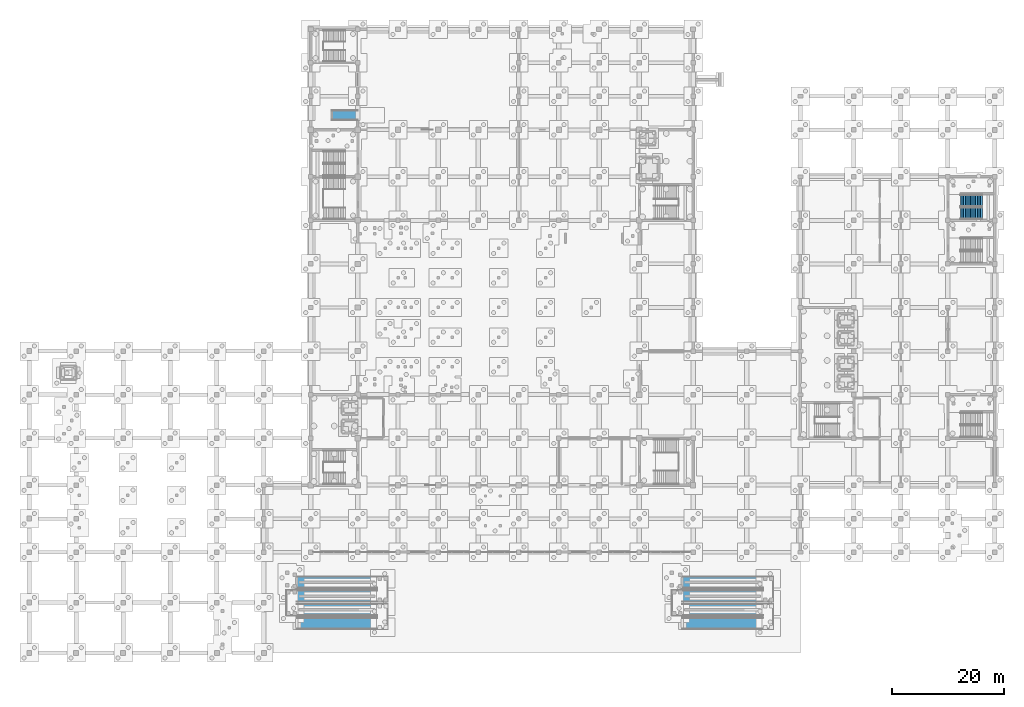
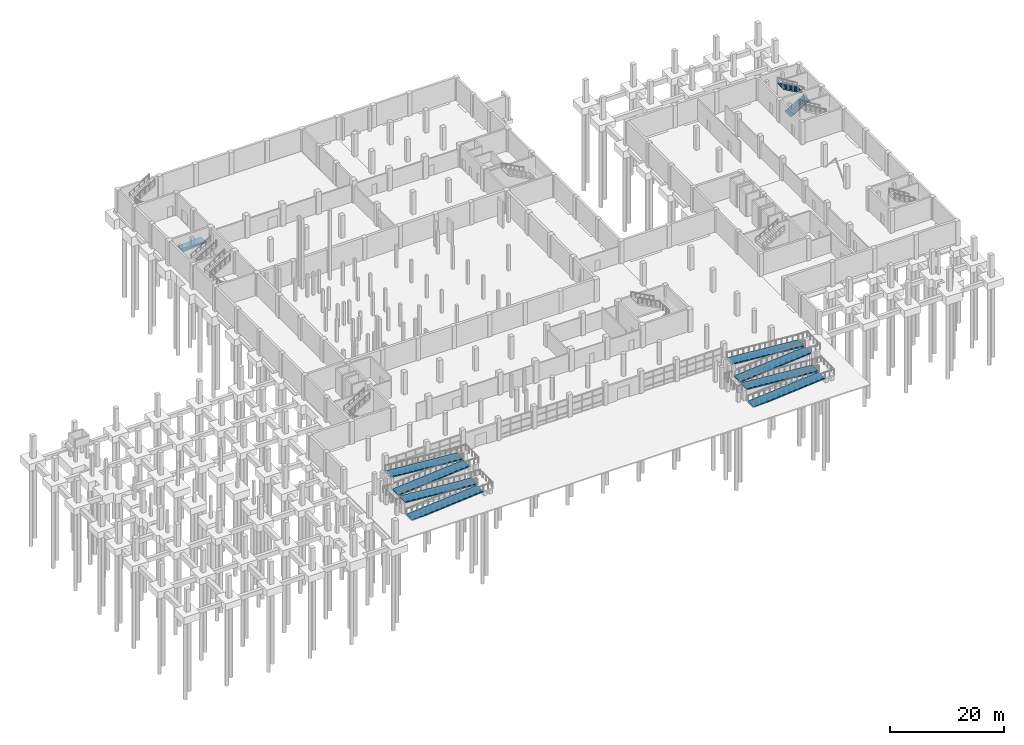
# One storey, part 37 of 42: 9 ramp flights, 2 stair flights, 4 elements without a shape of their own.
"""IFC4 building model written with IfcOpenShell, lengths in metres."""

from ifc_helpers import new_model, si_unit, direction, frame, origin, place, context, subcontext, project, spatial, polyline, outline, extrude, material, layer, layer_set, type_object, element, aggregate, save


model = new_model("IFC4")

# Units and contexts
model_context = context("Model", 3, precision=1e-05, world=origin(), true_north=direction((0.0, 1.0)))
body_context = subcontext(model_context, "Body", "Model", "MODEL_VIEW")
ifc_project = project(units=[si_unit("LENGTHUNIT", "METRE"), si_unit("AREAUNIT", "SQUARE_METRE"), si_unit("VOLUMEUNIT", "CUBIC_METRE"), si_unit("PLANEANGLEUNIT", "RADIAN"), si_unit("MASSUNIT", "GRAM", prefix="KILO")], contexts=[model_context])

# Site, building, storey
site_placement = place(None, origin())
site = spatial("IfcSite", under=ifc_project, at=site_placement, CompositionType="ELEMENT")
building_placement = place(site_placement, origin())
building = spatial("IfcBuilding", under=site, at=building_placement, Name="Pellamere Symphony Hall", CompositionType="ELEMENT")
storey_placement = place(building_placement, frame((0.0, 0.0, -4.800048828125)))
storey = spatial("IfcBuildingStorey", under=building, at=storey_placement, Name="B1", CompositionType="ELEMENT", Elevation=-4.800048828125)

# Stair, stair flights
ifc_material = material(Name="Concrete 40 MPa", Category="concrete")
stair_type = type_object("IfcStairType", Name="Stair ST-B W2050", PredefinedType="HALF_TURN_STAIR", material=ifc_material)
stair_placement = place(storey_placement, origin())
stair = element("IfcStair", 1, at=stair_placement, inside=storey, type_object=stair_type, Name="Exit Stair ST14-B1 (B1 to L00)", PredefinedType="HALF_TURN_STAIR")
stair_flight_type = type_object("IfcStairFlightType", Name="Stair Flight SF-B W2050", PredefinedType="STRAIGHT", material=ifc_material)
stair_flight_1_placement = place(storey_placement, frame((166.625, 78.5849609375, 0.0), z_axis=(0.0, 0.0, 1.0), x_axis=(1.0, 0.0, 0.0)))
stair_flight_1 = element("IfcStairFlight", 2, at=stair_flight_1_placement, type_object=stair_flight_type, Name="Stair ST14-B1 Lower Flight (B1)", NumberOfRisers=14, NumberOfTreads=13, PredefinedType="STRAIGHT", RiserHeight=0.17143, TreadLength=0.30385, context=body_context, shape_type="SweptSolid", body=[
    extrude(outline(polyline([(0.0, 0.0), (0.0, 0.17138671875), (0.303955078125, 0.17138671875), (0.303955078125, 0.3427734375), (0.607666015625, 0.3427734375), (0.607666015625, 0.514404296875), (0.91162109375, 0.514404296875), (0.91162109375, 0.685791015625), (1.21533203125, 0.685791015625), (1.21533203125, 0.857177734375), (1.519287109375, 0.857177734375), (1.519287109375, 1.028564453125), (1.822998046875, 1.028564453125), (1.822998046875, 1.199951171875), (2.126953125, 1.199951171875), (2.126953125, 1.371337890625), (2.430908203125, 1.371337890625), (2.430908203125, 1.54296875), (2.734619140625, 1.54296875), (2.734619140625, 1.71435546875), (3.03857421875, 1.71435546875), (3.03857421875, 1.8857421875), (3.34228515625, 1.8857421875), (3.34228515625, 2.05712890625), (3.646240234375, 2.05712890625), (3.646240234375, 2.228515625), (3.949951171875, 2.228515625), (3.949951171875, 2.39990234375), (3.949951171875, 1.9990234375), (0.406982421875, 0.0), (0.0, 0.0)])), frame((0.0, 1.02490234375, 0.0), z_axis=(0.0, -1.0, 0.0), x_axis=(1.0, 0.0, 0.0)), (0.0, 0.0, 1.0), 2.050048828125),
])
stair_flight_2_placement = place(storey_placement, frame((170.574951171875, 80.97509765625, 2.400146484375), z_axis=(0.0, 0.0, 1.0), x_axis=(-1.0, 0.0, 0.0)))
stair_flight_2 = element("IfcStairFlight", 3, at=stair_flight_2_placement, type_object=stair_flight_type, Name="Stair ST14-B1 Upper Flight (B1)", NumberOfRisers=14, NumberOfTreads=13, PredefinedType="STRAIGHT", RiserHeight=0.17143, TreadLength=0.30385, context=body_context, shape_type="SweptSolid", body=[
    extrude(outline(polyline([(0.0, 0.0), (0.0, 0.17138671875), (0.303955078125, 0.17138671875), (0.303955078125, 0.3427734375), (0.607666015625, 0.3427734375), (0.607666015625, 0.514404296875), (0.91162109375, 0.514404296875), (0.91162109375, 0.685791015625), (1.21533203125, 0.685791015625), (1.21533203125, 0.857177734375), (1.519287109375, 0.857177734375), (1.519287109375, 1.028564453125), (1.822998046875, 1.028564453125), (1.822998046875, 1.199951171875), (2.126953125, 1.199951171875), (2.126953125, 1.371337890625), (2.430908203125, 1.371337890625), (2.430908203125, 1.54296875), (2.734619140625, 1.54296875), (2.734619140625, 1.71435546875), (3.03857421875, 1.71435546875), (3.03857421875, 1.8857421875), (3.34228515625, 1.8857421875), (3.34228515625, 2.05712890625), (3.646240234375, 2.05712890625), (3.646240234375, 2.228515625), (3.949951171875, 2.228515625), (3.949951171875, 2.39990234375), (3.949951171875, 1.9990234375), (0.406982421875, 0.0), (0.0, 0.0)])), frame((0.0, 1.02490234375, 0.0), z_axis=(0.0, -1.0, 0.0), x_axis=(1.0, 0.0, 0.0)), (0.0, 0.0, 1.0), 2.050048828125),
])
aggregate(stair, [stair_flight_1, stair_flight_2])

# Ramp, ramp flights
ifc_layer_1 = layer(ifc_material, 0.25, Name="Concrete 40 MPa")
ifc_layer_set_1 = layer_set([ifc_layer_1], Name="Concrete 40 MPa")
ramp_type_1 = type_object("IfcRampType", Name="Ramp RM-01 W2100", PredefinedType="HALF_TURN_RAMP", material=ifc_layer_set_1)
ramp_1_placement = place(storey_placement, origin())
ramp_1 = element("IfcRamp", 4, at=ramp_1_placement, inside=storey, type_object=ramp_type_1, Name="Accessible Ramp RMP-01", PredefinedType="HALF_TURN_RAMP")
ifc_layer_2 = layer(ifc_material, 0.25, Name="Concrete 40 MPa")
ifc_layer_set_2 = layer_set([ifc_layer_2], Name="Concrete 40 MPa")
ramp_flight_type_1 = type_object("IfcRampFlightType", Name="Ramp Flight RF-01 W2100", PredefinedType="STRAIGHT", material=ifc_layer_set_2)
ramp_flight_1_placement = place(storey_placement, frame((47.89990234375, 4.199951171875, 0.0), z_axis=(-0.083041285113, 0.0, 0.996546107798), x_axis=(0.996546107798, 0.0, 0.083041285113)))
ramp_flight_1 = element("IfcRampFlight", 5, at=ramp_flight_1_placement, type_object=ramp_flight_type_1, Name="Ramp RMP-01 Flight 1", PredefinedType="STRAIGHT", context=body_context, shape_type="SweptSolid", body=[
    extrude(outline(polyline([(0.0, 0.0), (14.450055418106253, 0.0), (14.450055418106253, 2.10009765625), (0.0, 2.10009765625), (0.0, 0.0)])), origin(), (0.0, 0.0, -1.0), 0.25),
])
ramp_flight_2_placement = place(storey_placement, frame((62.300048828125, 8.75, 1.199951171875), z_axis=(0.083058064049, 0.0, 0.996544709482), x_axis=(-0.996544709482, 0.0, 0.083058064049)))
ramp_flight_2 = element("IfcRampFlight", 6, at=ramp_flight_2_placement, type_object=ramp_flight_type_1, Name="Ramp RMP-01 Flight 2", PredefinedType="STRAIGHT", context=body_context, shape_type="SweptSolid", body=[
    extrude(outline(polyline([(0.0, 0.0), (14.450075693905712, 0.0), (14.450075693905712, 2.10009765625), (0.0, 2.10009765625), (0.0, 0.0)])), origin(), (0.0, 0.0, -1.0), 0.25),
])
ramp_flight_3_placement = place(storey_placement, frame((47.89990234375, 9.10009765625, 2.400146484375), z_axis=(-0.083041285113, 0.0, 0.996546107798), x_axis=(0.996546107798, 0.0, 0.083041285113)))
ramp_flight_3 = element("IfcRampFlight", 7, at=ramp_flight_3_placement, type_object=ramp_flight_type_1, Name="Ramp RMP-01 Flight 3", PredefinedType="STRAIGHT", context=body_context, shape_type="SweptSolid", body=[
    extrude(outline(polyline([(0.0, 0.0), (14.450055418106253, 0.0), (14.450055418106253, 2.099853515625), (0.0, 2.099853515625), (0.0, 0.0)])), origin(), (0.0, 0.0, -1.0), 0.25),
])
ramp_flight_4_placement = place(storey_placement, frame((62.300048828125, 13.64990234375, 3.60009765625), z_axis=(0.083041285113, 0.0, 0.996546107798), x_axis=(-0.996546107798, 0.0, 0.083041285113)))
ramp_flight_4 = element("IfcRampFlight", 8, at=ramp_flight_4_placement, type_object=ramp_flight_type_1, Name="Ramp RMP-01 Flight 4", PredefinedType="STRAIGHT", context=body_context, shape_type="SweptSolid", body=[
    extrude(outline(polyline([(0.0, 0.0), (14.450055418106253, 0.0), (14.450055418106253, 2.099853515625), (0.0, 2.099853515625), (0.0, 0.0)])), origin(), (0.0, 0.0, -1.0), 0.25),
])
aggregate(ramp_1, [ramp_flight_1, ramp_flight_2, ramp_flight_3, ramp_flight_4])

ramp_2_placement = place(storey_placement, origin())
ramp_2 = element("IfcRamp", 9, at=ramp_2_placement, inside=storey, type_object=ramp_type_1, Name="Accessible Ramp RMP-02", PredefinedType="HALF_TURN_RAMP")
ramp_flight_5_placement = place(storey_placement, frame((116.89990234375, 4.199951171875, 0.0), z_axis=(-0.083041285113, 0.0, 0.996546107798), x_axis=(0.996546107798, 0.0, 0.083041285113)))
ramp_flight_5 = element("IfcRampFlight", 10, at=ramp_flight_5_placement, type_object=ramp_flight_type_1, Name="Ramp RMP-02 Flight 1", PredefinedType="STRAIGHT", context=body_context, shape_type="SweptSolid", body=[
    extrude(outline(polyline([(0.0, 0.0), (14.450055418106253, 0.0), (14.450055418106253, 2.10009765625), (0.0, 2.10009765625), (0.0, 0.0)])), origin(), (0.0, 0.0, -1.0), 0.25),
])
ramp_flight_6_placement = place(storey_placement, frame((131.300048828125, 8.75, 1.199951171875), z_axis=(0.083058064049, 0.0, 0.996544709482), x_axis=(-0.996544709482, 0.0, 0.083058064049)))
ramp_flight_6 = element("IfcRampFlight", 11, at=ramp_flight_6_placement, type_object=ramp_flight_type_1, Name="Ramp RMP-02 Flight 2", PredefinedType="STRAIGHT", context=body_context, shape_type="SweptSolid", body=[
    extrude(outline(polyline([(0.0, 0.0), (14.450075693905712, 0.0), (14.450075693905712, 2.10009765625), (0.0, 2.10009765625), (0.0, 0.0)])), origin(), (0.0, 0.0, -1.0), 0.25),
])
ramp_flight_7_placement = place(storey_placement, frame((116.89990234375, 9.10009765625, 2.400146484375), z_axis=(-0.083041285113, 0.0, 0.996546107798), x_axis=(0.996546107798, 0.0, 0.083041285113)))
ramp_flight_7 = element("IfcRampFlight", 12, at=ramp_flight_7_placement, type_object=ramp_flight_type_1, Name="Ramp RMP-02 Flight 3", PredefinedType="STRAIGHT", context=body_context, shape_type="SweptSolid", body=[
    extrude(outline(polyline([(0.0, 0.0), (14.450055418106253, 0.0), (14.450055418106253, 2.099853515625), (0.0, 2.099853515625), (0.0, 0.0)])), origin(), (0.0, 0.0, -1.0), 0.25),
])
ramp_flight_8_placement = place(storey_placement, frame((131.300048828125, 13.64990234375, 3.60009765625), z_axis=(0.083041285113, 0.0, 0.996546107798), x_axis=(-0.996546107798, 0.0, 0.083041285113)))
ramp_flight_8 = element("IfcRampFlight", 13, at=ramp_flight_8_placement, type_object=ramp_flight_type_1, Name="Ramp RMP-02 Flight 4", PredefinedType="STRAIGHT", context=body_context, shape_type="SweptSolid", body=[
    extrude(outline(polyline([(0.0, 0.0), (14.450055418106253, 0.0), (14.450055418106253, 2.099853515625), (0.0, 2.099853515625), (0.0, 0.0)])), origin(), (0.0, 0.0, -1.0), 0.25),
])
aggregate(ramp_2, [ramp_flight_5, ramp_flight_6, ramp_flight_7, ramp_flight_8])

# Ramp, ramp flight
ifc_layer_3 = layer(ifc_material, 0.25, Name="Concrete 40 MPa")
ifc_layer_set_3 = layer_set([ifc_layer_3], Name="Concrete 40 MPa")
ramp_type_2 = type_object("IfcRampType", Name="Ramp RM-02 W1800", PredefinedType="STRAIGHT_RUN_RAMP", material=ifc_layer_set_3)
ramp_3_placement = place(storey_placement, origin())
ramp_3 = element("IfcRamp", 14, at=ramp_3_placement, inside=storey, type_object=ramp_type_2, Name="Recording Studio Floating Slab Threshold Ramp", PredefinedType="STRAIGHT_RUN_RAMP")
ifc_layer_4 = layer(ifc_material, 0.25, Name="Concrete 40 MPa")
ifc_layer_set_4 = layer_set([ifc_layer_4], Name="Concrete 40 MPa")
ramp_flight_type_2 = type_object("IfcRampFlightType", Name="Ramp Flight RF-02 W1800", PredefinedType="STRAIGHT", material=ifc_layer_set_4)
ramp_flight_9_placement = place(storey_placement, frame((54.199951171875, 95.300048828125, 0.0), z_axis=(-0.082353842968, 0.0, 0.996603152989), x_axis=(0.996603152989, 0.0, 0.082353842968)))
ramp_flight_9 = element("IfcRampFlight", 15, at=ramp_flight_9_placement, type_object=ramp_flight_type_2, Name="Recording Studio Floating Slab Threshold Ramp Flight", PredefinedType="STRAIGHT", context=body_context, shape_type="SweptSolid", body=[
    extrude(outline(polyline([(0.0, 0.0), (4.615776743683433, 0.0), (4.615776743683433, 1.8000488281250004), (0.0, 1.8000488281250004), (0.0, 0.0)])), origin(), (0.0, 0.0, -1.0), 0.25),
])
aggregate(ramp_3, [ramp_flight_9])

save(model, "model.ifc")
